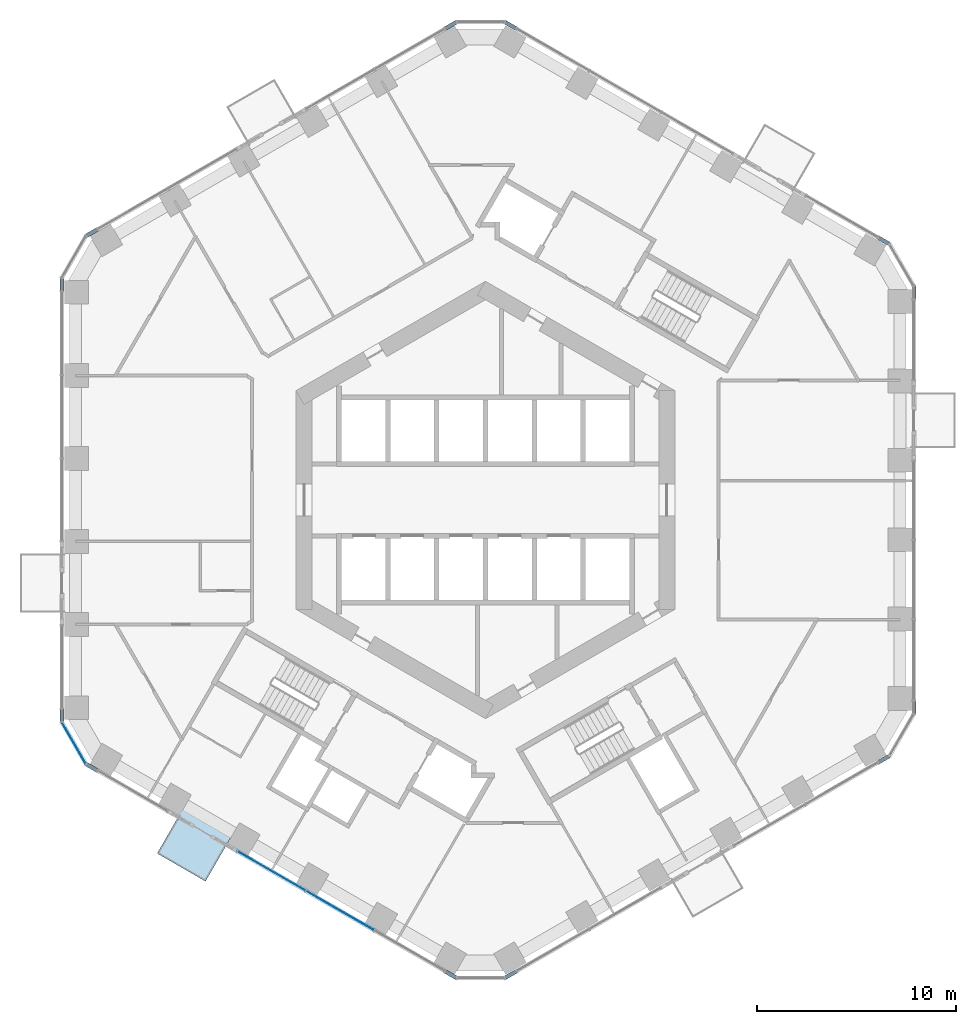
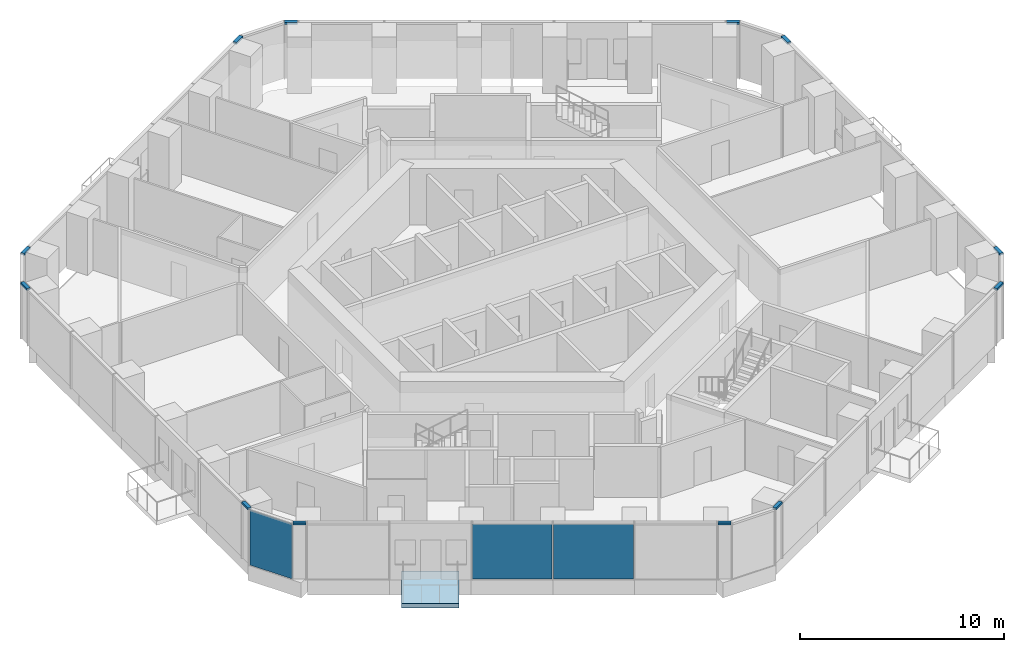
# One storey, part 7 of 19: 12 members, 3 plates, 1 slab, 7 elements without a shape of their own.
"""IFC4 building model written with IfcOpenShell, lengths in metres."""

from ifc_helpers import new_model, si_unit, direction, frame, origin, origin_2d, place, context, subcontext, project, spatial, polyline, rectangle, outline, extrude, material, layer, layer_set, material_profile, profile_set, type_object, element, aggregate, save


model = new_model("IFC4")

# Units and contexts
model_context = context("Model", 3, precision=1e-05, world=origin(), true_north=direction((0.0, 1.0)))
body_context = subcontext(model_context, "Body", "Model", "MODEL_VIEW")
ifc_project = project(units=[si_unit("LENGTHUNIT", "METRE"), si_unit("AREAUNIT", "SQUARE_METRE"), si_unit("VOLUMEUNIT", "CUBIC_METRE"), si_unit("PLANEANGLEUNIT", "RADIAN"), si_unit("MASSUNIT", "GRAM", prefix="KILO")], contexts=[model_context])

# Site, building, storey
site_placement = place(None, origin())
site = spatial("IfcSite", under=ifc_project, at=site_placement, CompositionType="ELEMENT")
building_placement = place(site_placement, origin())
building = spatial("IfcBuilding", under=site, at=building_placement, Name="Ayvan Gate Tower", CompositionType="ELEMENT")
storey_placement = place(building_placement, frame((0.0, 0.0, 39.10009765625)))
storey = spatial("IfcBuildingStorey", under=building, at=storey_placement, Name="L09", CompositionType="ELEMENT", Elevation=39.10009765625)

# Curtain wall, members
ifc_material_1 = material(Name="Bronze anodised aluminium", Category="aluminium")
ifc_layer_1 = layer(ifc_material_1, 0.199951171875)
ifc_layer_set_1 = layer_set([ifc_layer_1], Name="Bronze anodised aluminium")
curtain_wall_type_1 = type_object("IfcCurtainWallType", Name="Stick curtain wall CW-6", PredefinedType="NOTDEFINED", material=ifc_layer_set_1)
curtain_wall_1_placement = place(storey_placement, origin())
curtain_wall_1 = element("IfcCurtainWall", 1, at=curtain_wall_1_placement, inside=storey, type_object=curtain_wall_type_1, Name="Stick curtain wall CW-6 L09", PredefinedType="NOTDEFINED")
ifc_material_profile = material_profile(ifc_material_1, rectangle(XDim=0.199951171875, YDim=0.1201171875, at=origin_2d()), Name="Stick curtain wall CW-6 transom 200 x 120")
ifc_profile_set = profile_set([ifc_material_profile], Name="Bronze anodised aluminium")
member_type = type_object("IfcMemberType", Name="Stick curtain wall CW-6 transom 200 x 120", PredefinedType="USERDEFINED", material=ifc_profile_set)
member_1_placement = place(storey_placement, frame((-19.47705078125, 13.563232421875, 3.33984375), z_axis=(-0.866022959057, -0.500004234368, 0.0), x_axis=(0.500004234368, -0.866022959057, 0.0)))
member_1 = element("IfcMember", 2, at=member_1_placement, type_object=member_type, Name="CW-6 transom 1", ObjectType="TRANSOM", PredefinedType="USERDEFINED", context=body_context, shape_type="SweptSolid", body=[
    extrude(rectangle(XDim=0.199951171875, YDim=0.1201171875, at=origin_2d()), origin(), (0.0, 0.0, 1.0), 0.625),
])
member_2_placement = place(storey_placement, frame((-21.247314453125, 11.1220703125, 3.33984375), z_axis=(0.0, -1.0, 0.0), x_axis=(1.0, 0.0, 0.0)))
member_2 = element("IfcMember", 3, at=member_2_placement, type_object=member_type, Name="CW-6 transom 3", ObjectType="TRANSOM", PredefinedType="USERDEFINED", context=body_context, shape_type="SweptSolid", body=[
    extrude(rectangle(XDim=0.199951171875, YDim=0.1201171875, at=origin_2d()), origin(), (0.0, 0.0, 1.0), 0.625),
])
aggregate(curtain_wall_1, [member_1, member_2])

curtain_wall_2_placement = place(storey_placement, origin())
curtain_wall_2 = element("IfcCurtainWall", 4, at=curtain_wall_2_placement, inside=storey, type_object=curtain_wall_type_1, Name="Stick curtain wall CW-6 L09", PredefinedType="NOTDEFINED")
member_3_placement = place(storey_placement, frame((-21.247314453125, -10.4970703125, 3.33984375), z_axis=(0.0, -1.0, 0.0), x_axis=(1.0, 0.0, 0.0)))
member_3 = element("IfcMember", 5, at=member_3_placement, type_object=member_type, Name="CW-6 transom 1", ObjectType="TRANSOM", PredefinedType="USERDEFINED", context=body_context, shape_type="SweptSolid", body=[
    extrude(rectangle(XDim=0.199951171875, YDim=0.1201171875, at=origin_2d()), origin(), (0.0, 0.0, 1.0), 0.625),
])
member_4_placement = place(storey_placement, frame((-20.018310546875, -13.250732421875, 3.33984375), z_axis=(0.866022959057, -0.500004234368, 0.0), x_axis=(0.500004234368, 0.866022959057, 0.0)))
member_4 = element("IfcMember", 6, at=member_4_placement, type_object=member_type, Name="CW-6 transom 3", ObjectType="TRANSOM", PredefinedType="USERDEFINED", context=body_context, shape_type="SweptSolid", body=[
    extrude(rectangle(XDim=0.199951171875, YDim=0.1201171875, at=origin_2d()), origin(), (0.0, 0.0, 1.0), 0.625),
])

curtain_wall_3_placement = place(storey_placement, origin())
curtain_wall_3 = element("IfcCurtainWall", 7, at=curtain_wall_3_placement, inside=storey, type_object=curtain_wall_type_1, Name="Stick curtain wall CW-6 L09", PredefinedType="NOTDEFINED")
member_5_placement = place(storey_placement, frame((-2.007568359375, -23.649169921875, 3.33984375), z_axis=(0.866022959057, -0.500004234368, 0.0), x_axis=(0.500004234368, 0.866022959057, 0.0)))
member_5 = element("IfcMember", 8, at=member_5_placement, type_object=member_type, Name="CW-6 transom 1", ObjectType="TRANSOM", PredefinedType="USERDEFINED", context=body_context, shape_type="SweptSolid", body=[
    extrude(rectangle(XDim=0.199951171875, YDim=0.1201171875, at=origin_2d()), origin(), (0.0, 0.0, 1.0), 0.625),
])
member_6_placement = place(storey_placement, frame((0.991455078125, -23.961669921875, 3.33984375), z_axis=(0.866022959057, 0.500004234368, 0.0), x_axis=(-0.500004234368, 0.866022959057, 0.0)))
member_6 = element("IfcMember", 9, at=member_6_placement, type_object=member_type, Name="CW-6 transom 3", ObjectType="TRANSOM", PredefinedType="USERDEFINED", context=body_context, shape_type="SweptSolid", body=[
    extrude(rectangle(XDim=0.199951171875, YDim=0.1201171875, at=origin_2d()), origin(), (0.0, 0.0, 1.0), 0.625),
])
aggregate(curtain_wall_3, [member_5, member_6])

curtain_wall_4_placement = place(storey_placement, origin())
curtain_wall_4 = element("IfcCurtainWall", 10, at=curtain_wall_4_placement, inside=storey, type_object=curtain_wall_type_1, Name="Stick curtain wall CW-6 L09", PredefinedType="NOTDEFINED")
member_7_placement = place(storey_placement, frame((19.71435546875, -13.152099609375, 3.33984375), z_axis=(0.866022959057, 0.500004234368, 0.0), x_axis=(-0.500004234368, 0.866022959057, 0.0)))
member_7 = element("IfcMember", 11, at=member_7_placement, type_object=member_type, Name="CW-6 transom 1", ObjectType="TRANSOM", PredefinedType="USERDEFINED", context=body_context, shape_type="SweptSolid", body=[
    extrude(rectangle(XDim=0.199951171875, YDim=0.1201171875, at=origin_2d()), origin(), (0.0, 0.0, 1.0), 0.625),
])
member_8_placement = place(storey_placement, frame((21.484619140625, -10.7109375, 3.33984375), z_axis=(0.0, 1.0, 0.0), x_axis=(-1.0, 0.0, 0.0)))
member_8 = element("IfcMember", 12, at=member_8_placement, type_object=member_type, Name="CW-6 transom 3", ObjectType="TRANSOM", PredefinedType="USERDEFINED", context=body_context, shape_type="SweptSolid", body=[
    extrude(rectangle(XDim=0.199951171875, YDim=0.1201171875, at=origin_2d()), origin(), (0.0, 0.0, 1.0), 0.625),
])
aggregate(curtain_wall_4, [member_7, member_8])

curtain_wall_5_placement = place(storey_placement, origin())
curtain_wall_5 = element("IfcCurtainWall", 13, at=curtain_wall_5_placement, inside=storey, type_object=curtain_wall_type_1, Name="Stick curtain wall CW-6 L09", PredefinedType="NOTDEFINED")
member_9_placement = place(storey_placement, frame((21.484619140625, 10.0859375, 3.33984375), z_axis=(0.0, 1.0, 0.0), x_axis=(-1.0, 0.0, 0.0)))
member_9 = element("IfcMember", 14, at=member_9_placement, type_object=member_type, Name="CW-6 transom 1", ObjectType="TRANSOM", PredefinedType="USERDEFINED", context=body_context, shape_type="SweptSolid", body=[
    extrude(rectangle(XDim=0.199951171875, YDim=0.1201171875, at=origin_2d()), origin(), (0.0, 0.0, 1.0), 0.625),
])
member_10_placement = place(storey_placement, frame((20.255615234375, 12.839599609375, 3.33984375), z_axis=(-0.866022959057, 0.500004234368, 0.0), x_axis=(-0.500004234368, -0.866022959057, 0.0)))
member_10 = element("IfcMember", 15, at=member_10_placement, type_object=member_type, Name="CW-6 transom 3", ObjectType="TRANSOM", PredefinedType="USERDEFINED", context=body_context, shape_type="SweptSolid", body=[
    extrude(rectangle(XDim=0.199951171875, YDim=0.1201171875, at=origin_2d()), origin(), (0.0, 0.0, 1.0), 0.625),
])
aggregate(curtain_wall_5, [member_9, member_10])

curtain_wall_6_placement = place(storey_placement, origin())
curtain_wall_6 = element("IfcCurtainWall", 16, at=curtain_wall_6_placement, inside=storey, type_object=curtain_wall_type_1, Name="Stick curtain wall CW-6 L09", PredefinedType="NOTDEFINED")
member_11_placement = place(storey_placement, frame((1.53271484375, 23.649169921875, 3.33984375), z_axis=(-0.866022959057, 0.500004234368, 0.0), x_axis=(-0.500004234368, -0.866022959057, 0.0)))
member_11 = element("IfcMember", 17, at=member_11_placement, type_object=member_type, Name="CW-6 transom 1", ObjectType="TRANSOM", PredefinedType="USERDEFINED", context=body_context, shape_type="SweptSolid", body=[
    extrude(rectangle(XDim=0.199951171875, YDim=0.1201171875, at=origin_2d()), origin(), (0.0, 0.0, 1.0), 0.625),
])
member_12_placement = place(storey_placement, frame((-1.46630859375, 23.961669921875, 3.33984375), z_axis=(-0.866022959057, -0.500004234368, 0.0), x_axis=(0.500004234368, -0.866022959057, 0.0)))
member_12 = element("IfcMember", 18, at=member_12_placement, type_object=member_type, Name="CW-6 transom 3", ObjectType="TRANSOM", PredefinedType="USERDEFINED", context=body_context, shape_type="SweptSolid", body=[
    extrude(rectangle(XDim=0.199951171875, YDim=0.1201171875, at=origin_2d()), origin(), (0.0, 0.0, 1.0), 0.625),
])
aggregate(curtain_wall_6, [member_11, member_12])

# Slab
ifc_material_2 = material(Name="Concrete C40/50", Category="concrete")
ifc_layer_2 = layer(ifc_material_2, 0.25)
ifc_layer_set_2 = layer_set([ifc_layer_2], Name="Concrete C40/50")
slab_type = type_object("IfcSlabType", Name="Balcony slab 250", PredefinedType="FLOOR", material=ifc_layer_set_2)
slab_placement = place(storey_placement, frame((0.0, 0.0, -0.25)))
element("IfcSlab", 19, at=slab_placement, inside=storey, type_object=slab_type, Name="Balcony slab BAL-L09-4", PredefinedType="FLOOR", context=body_context, shape_type="SweptSolid", body=[
    extrude(outline(polyline([(-15.065673828125, -15.3017578125), (-12.642822265625, -16.70068359375), (-14.04296875, -19.12548828125), (-16.465576171875, -17.726806640625), (-15.065673828125, -15.3017578125)])), origin(), (0.0, 0.0, 1.0), 0.25),
])

# Curtain wall, plates
ifc_layer_3 = layer(ifc_material_1, 0.199951171875)
ifc_layer_set_3 = layer_set([ifc_layer_3], Name="Bronze anodised aluminium")
curtain_wall_type_2 = type_object("IfcCurtainWallType", Name="Stick curtain wall CW-1", PredefinedType="NOTDEFINED", material=ifc_layer_set_3)
curtain_wall_7_placement = place(storey_placement, origin())
curtain_wall_7 = element("IfcCurtainWall", 20, at=curtain_wall_7_placement, inside=storey, type_object=curtain_wall_type_2, Name="Stick curtain wall CW-1 L09", PredefinedType="NOTDEFINED")
ifc_material_3 = material(Name="Clear low-iron laminated glass", Category="glass")
ifc_layer_4 = layer(ifc_material_3, 0.028076171875)
ifc_layer_set_4 = layer_set([ifc_layer_4], Name="Clear low-iron laminated glass")
plate_type_1 = type_object("IfcPlateType", Name="Stick curtain wall CW-1 glass panel", PredefinedType="CURTAIN_PANEL", material=ifc_layer_set_4)
plate_1_placement = place(storey_placement, frame((-10.7421875, -18.606201171875, 0.0), z_axis=(0.0, 0.0, 1.0), x_axis=(0.866025403784, -0.5, 0.0)))
plate_1 = element("IfcPlate", 21, at=plate_1_placement, type_object=plate_type_1, Name="CW-1 glass panel 1", PredefinedType="CURTAIN_PANEL", context=body_context, shape_type="SweptSolid", body=[
    extrude(rectangle(XDim=3.924072265625, YDim=0.028076171875, at=origin_2d()), origin(), (0.0, 0.0, 1.0), 3.280029296875),
])
plate_2_placement = place(storey_placement, frame((-7.2919921875, -20.59814453125, 0.0), z_axis=(0.0, 0.0, 1.0), x_axis=(0.866025403784, -0.5, 0.0)))
plate_2 = element("IfcPlate", 22, at=plate_2_placement, type_object=plate_type_1, Name="CW-1 glass panel 2", PredefinedType="CURTAIN_PANEL", context=body_context, shape_type="SweptSolid", body=[
    extrude(rectangle(XDim=3.924072265625, YDim=0.028076171875, at=origin_2d()), origin(), (0.0, 0.0, 1.0), 3.280029296875),
])
aggregate(curtain_wall_7, [plate_1, plate_2])

# Plate
ifc_layer_5 = layer(ifc_material_3, 0.028076171875)
ifc_layer_set_5 = layer_set([ifc_layer_5], Name="Clear low-iron laminated glass")
plate_type_2 = type_object("IfcPlateType", Name="Stick curtain wall CW-6 glass panel", PredefinedType="CURTAIN_PANEL", material=ifc_layer_set_5)
plate_3_placement = place(storey_placement, frame((-20.6435546875, -12.192626953125, 0.0), z_axis=(0.0, 0.0, 1.0), x_axis=(0.5, -0.866025403784, 0.0)))
plate_3 = element("IfcPlate", 23, at=plate_3_placement, type_object=plate_type_2, Name="CW-6 glass panel 2", PredefinedType="CURTAIN_PANEL", context=body_context, shape_type="SweptSolid", body=[
    extrude(rectangle(XDim=2.364501953125, YDim=0.028076171875, at=origin_2d()), origin(), (0.0, 0.0, 1.0), 3.280029296875),
])

aggregate(curtain_wall_2, [member_3, member_4, plate_3])

save(model, "model.ifc")
